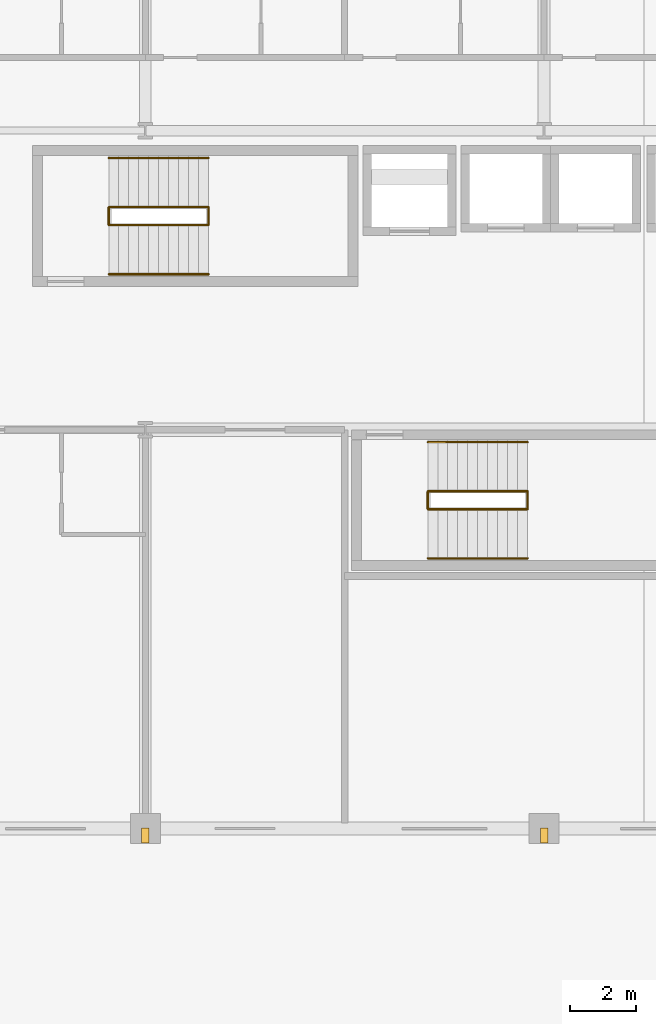
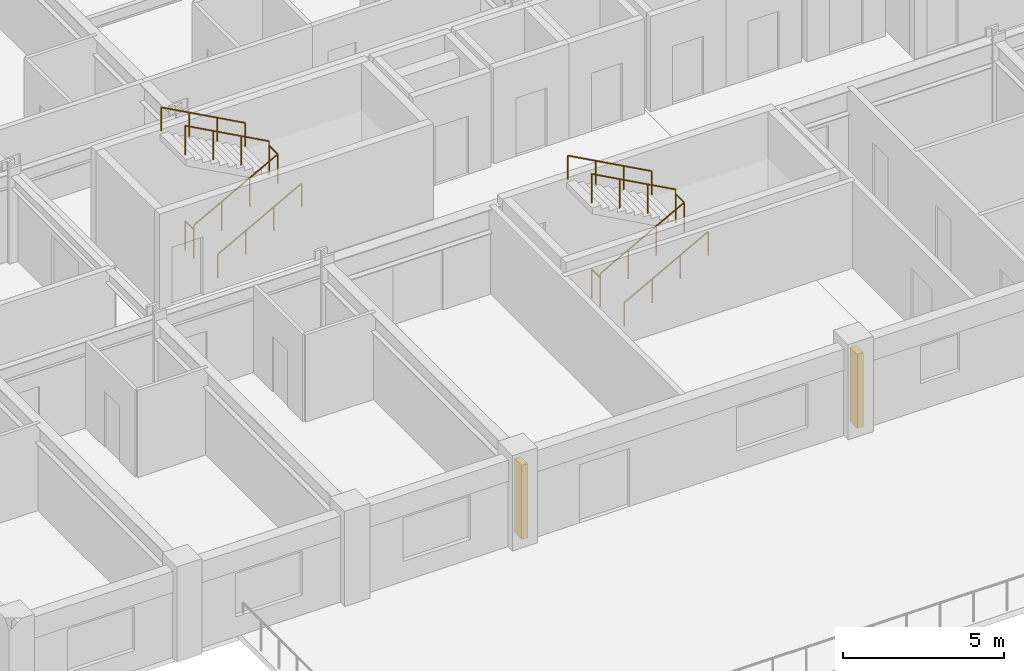
# One storey, part 22 of 24: 12 railings, 2 shading devices.
"""IFC4 building model written with IfcOpenShell, lengths in metres."""

from ifc_helpers import new_model, si_unit, direction, frame, origin, origin_2d, place, context, subcontext, project, spatial, rectangle, circle, extrude, material, type_object, element, save


model = new_model("IFC4")

# Units and contexts
model_context = context("Model", 3, precision=1e-05, world=origin(), true_north=direction((0.0, 1.0)))
body_context = subcontext(model_context, "Body", "Model", "MODEL_VIEW")
ifc_project = project(units=[si_unit("LENGTHUNIT", "METRE"), si_unit("AREAUNIT", "SQUARE_METRE"), si_unit("VOLUMEUNIT", "CUBIC_METRE"), si_unit("PLANEANGLEUNIT", "RADIAN"), si_unit("MASSUNIT", "GRAM", prefix="KILO")], contexts=[model_context])

# Site, building, storey
site_placement = place(None, origin())
site = spatial("IfcSite", under=ifc_project, at=site_placement, CompositionType="ELEMENT")
building_placement = place(site_placement, origin())
building = spatial("IfcBuilding", under=site, at=building_placement, Name="Kaldorvane Square Convention Centre", CompositionType="ELEMENT")
storey_placement = place(building_placement, frame((0.0, 0.0, 27.600006103515625)))
storey = spatial("IfcBuildingStorey", under=building, at=storey_placement, Name="L05", CompositionType="ELEMENT", Elevation=27.600006103515625)

# Railings
ifc_material_1 = material(Name="Architectural Painted Steel", Category="steel")
railing_type_1 = type_object("IfcRailingType", Name="RL-GUARD-1120", PredefinedType="BALUSTRADE", material=ifc_material_1)
for number, where, name in (
    (1, (40.899993896484375, 102.16999816894531, 0.0), "Tower Exit Stair T1 Floor Well Guard (L05)"),
    (2, (43.899993896484375, 102.16999816894531, 1.79998779296875), "Tower Exit Stair T1 Half-Landing Guard (L05)"),
):
    element("IfcRailing", number, at=place(storey_placement, frame(where)), inside=storey, type_object=railing_type_1, Name=name, PredefinedType="BALUSTRADE", context=body_context, shape_type="SweptSolid", body=[
        extrude(circle(Radius=0.0240020751953125, at=origin_2d()), frame((0.0, 0.0, 1.0959930419921875), z_axis=(0.0, 1.0, 0.0), x_axis=(-1.0, 0.0, 0.0)), (0.0, 0.0, 1.0), 0.5200042724609375),
        extrude(circle(Radius=0.02099609375, at=origin_2d()), origin(), (0.0, 0.0, 1.0), 1.071990966796875),
        extrude(circle(Radius=0.02099609375, at=origin_2d()), frame((0.0, 0.5200042724609375, 0.0)), (0.0, 0.0, 1.0), 1.071990966796875),
    ])
railing_1_placement = place(storey_placement, frame((40.899993896484375, 102.16000366210938, 0.16363525390625)))
element("IfcRailing", 3, at=railing_1_placement, inside=storey, type_object=railing_type_1, Name="Tower Exit Stair T1 Flight 1 Guard (L05)", PredefinedType="BALUSTRADE", context=body_context, shape_type="SweptSolid", body=[
    extrude(circle(Radius=0.0240020751953125, at=origin_2d()), frame((0.0, 0.0, 1.0959930419921875), z_axis=(0.877896938072, 0.0, 0.478849627883), x_axis=(0.0, 1.0, 0.0)), (0.0, 0.0, 1.0), 3.4172515869140625),
    extrude(circle(Radius=0.02099609375, at=origin_2d()), origin(), (0.0, 0.0, 1.0), 1.071990966796875),
    extrude(circle(Radius=0.02099609375, at=origin_2d()), frame((1.0, 0.0, 0.5454559326171875)), (0.0, 0.0, 1.0), 1.071990966796875),
    extrude(circle(Radius=0.02099609375, at=origin_2d()), frame((2.0, 0.0, 1.0908966064453125)), (0.0, 0.0, 1.0), 1.071990966796875),
    extrude(circle(Radius=0.02099609375, at=origin_2d()), frame((3.0, 0.0, 1.6363525390625)), (0.0, 0.0, 1.0), 1.071990966796875),
])
railing_2_placement = place(storey_placement, frame((43.899993896484375, 102.69999694824219, 1.963623046875)))
element("IfcRailing", 4, at=railing_2_placement, inside=storey, type_object=railing_type_1, Name="Tower Exit Stair T1 Flight 2 Guard (L05)", PredefinedType="BALUSTRADE", context=body_context, shape_type="SweptSolid", body=[
    extrude(circle(Radius=0.0240020751953125, at=origin_2d()), frame((0.0, 0.0, 1.0959930419921875), z_axis=(-0.87789506098, 0.0, 0.478853069227), x_axis=(0.0, -1.0, 0.0)), (0.0, 0.0, 1.0), 3.417266845703125),
    extrude(circle(Radius=0.02099609375, at=origin_2d()), origin(), (0.0, 0.0, 1.0), 1.071990966796875),
    extrude(circle(Radius=0.02099609375, at=origin_2d()), frame((-1.0, 0.0, 0.5454559326171875)), (0.0, 0.0, 1.0), 1.071990966796875),
    extrude(circle(Radius=0.02099609375, at=origin_2d()), frame((-2.0, 0.0, 1.090911865234375)), (0.0, 0.0, 1.0), 1.071990966796875),
    extrude(circle(Radius=0.02099609375, at=origin_2d()), frame((-3.0, 0.0, 1.6363677978515625)), (0.0, 0.0, 1.0), 1.071990966796875),
])
for number, where, name in (
    (5, (50.5, 93.6199951171875, 0.0), "Tower Exit Stair T3 Floor Well Guard (L05)"),
    (6, (53.5, 93.6199951171875, 1.79998779296875), "Tower Exit Stair T3 Half-Landing Guard (L05)"),
):
    element("IfcRailing", number, at=place(storey_placement, frame(where)), inside=storey, type_object=railing_type_1, Name=name, PredefinedType="BALUSTRADE", context=body_context, shape_type="SweptSolid", body=[
        extrude(circle(Radius=0.0240020751953125, at=origin_2d()), frame((0.0, 0.0, 1.0959930419921875), z_axis=(0.0, 1.0, 0.0), x_axis=(-1.0, 0.0, 0.0)), (0.0, 0.0, 1.0), 0.5200042724609375),
        extrude(circle(Radius=0.02099609375, at=origin_2d()), origin(), (0.0, 0.0, 1.0), 1.071990966796875),
        extrude(circle(Radius=0.02099609375, at=origin_2d()), frame((0.0, 0.5200042724609375, 0.0)), (0.0, 0.0, 1.0), 1.071990966796875),
    ])
railing_3_placement = place(storey_placement, frame((50.5, 93.61000061035156, 0.16363525390625)))
element("IfcRailing", 7, at=railing_3_placement, inside=storey, type_object=railing_type_1, Name="Tower Exit Stair T3 Flight 1 Guard (L05)", PredefinedType="BALUSTRADE", context=body_context, shape_type="SweptSolid", body=[
    extrude(circle(Radius=0.0240020751953125, at=origin_2d()), frame((0.0, 0.0, 1.0959930419921875), z_axis=(0.877896938072, 0.0, 0.478849627883), x_axis=(0.0, 1.0, 0.0)), (0.0, 0.0, 1.0), 3.4172515869140625),
    extrude(circle(Radius=0.02099609375, at=origin_2d()), origin(), (0.0, 0.0, 1.0), 1.071990966796875),
    extrude(circle(Radius=0.02099609375, at=origin_2d()), frame((1.0, 0.0, 0.5454559326171875)), (0.0, 0.0, 1.0), 1.071990966796875),
    extrude(circle(Radius=0.02099609375, at=origin_2d()), frame((2.0, 0.0, 1.0908966064453125)), (0.0, 0.0, 1.0), 1.071990966796875),
    extrude(circle(Radius=0.02099609375, at=origin_2d()), frame((3.0, 0.0, 1.6363525390625)), (0.0, 0.0, 1.0), 1.071990966796875),
])
railing_4_placement = place(storey_placement, frame((53.5, 94.14999389648438, 1.963623046875)))
element("IfcRailing", 8, at=railing_4_placement, inside=storey, type_object=railing_type_1, Name="Tower Exit Stair T3 Flight 2 Guard (L05)", PredefinedType="BALUSTRADE", context=body_context, shape_type="SweptSolid", body=[
    extrude(circle(Radius=0.0240020751953125, at=origin_2d()), frame((0.0, 0.0, 1.0959930419921875), z_axis=(-0.87789506098, 0.0, 0.478853069227), x_axis=(0.0, -1.0, 0.0)), (0.0, 0.0, 1.0), 3.417266845703125),
    extrude(circle(Radius=0.02099609375, at=origin_2d()), origin(), (0.0, 0.0, 1.0), 1.071990966796875),
    extrude(circle(Radius=0.02099609375, at=origin_2d()), frame((-1.0, 0.0, 0.5454559326171875)), (0.0, 0.0, 1.0), 1.071990966796875),
    extrude(circle(Radius=0.02099609375, at=origin_2d()), frame((-2.0, 0.0, 1.090911865234375)), (0.0, 0.0, 1.0), 1.071990966796875),
    extrude(circle(Radius=0.02099609375, at=origin_2d()), frame((-3.0, 0.0, 1.6363677978515625)), (0.0, 0.0, 1.0), 1.071990966796875),
])
railing_type_2 = type_object("IfcRailingType", Name="RL-HAND-915", PredefinedType="HANDRAIL", material=ifc_material_1)
railing_5_placement = place(storey_placement, frame((40.899993896484375, 100.67999267578125, 0.16363525390625)))
element("IfcRailing", 9, at=railing_5_placement, inside=storey, type_object=railing_type_2, Name="Tower Exit Stair T1 Wall Handrail 1 (L05)", PredefinedType="HANDRAIL", context=body_context, shape_type="SweptSolid", body=[
    extrude(circle(Radius=0.0240020751953125, at=origin_2d()), frame((0.0, 0.0, 0.8909912109375), z_axis=(0.877896938072, 0.0, 0.478849627883), x_axis=(0.0, 1.0, 0.0)), (0.0, 0.0, 1.0), 3.4172515869140625),
    extrude(circle(Radius=0.02099609375, at=origin_2d()), origin(), (0.0, 0.0, 1.0), 0.8669891357421875),
    extrude(circle(Radius=0.02099609375, at=origin_2d()), frame((1.0, 0.0, 0.5454559326171875)), (0.0, 0.0, 1.0), 0.8669891357421875),
    extrude(circle(Radius=0.02099609375, at=origin_2d()), frame((2.0, 0.0, 1.0908966064453125)), (0.0, 0.0, 1.0), 0.8669891357421875),
    extrude(circle(Radius=0.02099609375, at=origin_2d()), frame((3.0, 0.0, 1.6363525390625)), (0.0, 0.0, 1.0), 0.8669891357421875),
])
railing_6_placement = place(storey_placement, frame((43.899993896484375, 104.17999267578125, 1.963623046875)))
element("IfcRailing", 10, at=railing_6_placement, inside=storey, type_object=railing_type_2, Name="Tower Exit Stair T1 Wall Handrail 2 (L05)", PredefinedType="HANDRAIL", context=body_context, shape_type="SweptSolid", body=[
    extrude(circle(Radius=0.0240020751953125, at=origin_2d()), frame((0.0, 0.0, 0.8909912109375), z_axis=(-0.87789506098, 0.0, 0.478853069227), x_axis=(0.0, -1.0, 0.0)), (0.0, 0.0, 1.0), 3.417266845703125),
    extrude(circle(Radius=0.02099609375, at=origin_2d()), origin(), (0.0, 0.0, 1.0), 0.8669891357421875),
    extrude(circle(Radius=0.02099609375, at=origin_2d()), frame((-1.0, 0.0, 0.5454559326171875)), (0.0, 0.0, 1.0), 0.8669891357421875),
    extrude(circle(Radius=0.02099609375, at=origin_2d()), frame((-2.0, 0.0, 1.090911865234375)), (0.0, 0.0, 1.0), 0.8669891357421875),
    extrude(circle(Radius=0.02099609375, at=origin_2d()), frame((-3.0, 0.0, 1.6363677978515625)), (0.0, 0.0, 1.0), 0.8669891357421875),
])
railing_7_placement = place(storey_placement, frame((50.5, 92.1300048828125, 0.16363525390625)))
element("IfcRailing", 11, at=railing_7_placement, inside=storey, type_object=railing_type_2, Name="Tower Exit Stair T3 Wall Handrail 1 (L05)", PredefinedType="HANDRAIL", context=body_context, shape_type="SweptSolid", body=[
    extrude(circle(Radius=0.0240020751953125, at=origin_2d()), frame((0.0, 0.0, 0.8909912109375), z_axis=(0.877896938072, 0.0, 0.478849627883), x_axis=(0.0, 1.0, 0.0)), (0.0, 0.0, 1.0), 3.4172515869140625),
    extrude(circle(Radius=0.02099609375, at=origin_2d()), origin(), (0.0, 0.0, 1.0), 0.8669891357421875),
    extrude(circle(Radius=0.02099609375, at=origin_2d()), frame((1.0, 0.0, 0.5454559326171875)), (0.0, 0.0, 1.0), 0.8669891357421875),
    extrude(circle(Radius=0.02099609375, at=origin_2d()), frame((2.0, 0.0, 1.0908966064453125)), (0.0, 0.0, 1.0), 0.8669891357421875),
    extrude(circle(Radius=0.02099609375, at=origin_2d()), frame((3.0, 0.0, 1.6363525390625)), (0.0, 0.0, 1.0), 0.8669891357421875),
])
railing_8_placement = place(storey_placement, frame((53.5, 95.6300048828125, 1.963623046875)))
element("IfcRailing", 12, at=railing_8_placement, inside=storey, type_object=railing_type_2, Name="Tower Exit Stair T3 Wall Handrail 2 (L05)", PredefinedType="HANDRAIL", context=body_context, shape_type="SweptSolid", body=[
    extrude(circle(Radius=0.0240020751953125, at=origin_2d()), frame((0.0, 0.0, 0.8909912109375), z_axis=(-0.87789506098, 0.0, 0.478853069227), x_axis=(0.0, -1.0, 0.0)), (0.0, 0.0, 1.0), 3.417266845703125),
    extrude(circle(Radius=0.02099609375, at=origin_2d()), origin(), (0.0, 0.0, 1.0), 0.8669891357421875),
    extrude(circle(Radius=0.02099609375, at=origin_2d()), frame((-1.0, 0.0, 0.5454559326171875)), (0.0, 0.0, 1.0), 0.8669891357421875),
    extrude(circle(Radius=0.02099609375, at=origin_2d()), frame((-2.0, 0.0, 1.090911865234375)), (0.0, 0.0, 1.0), 0.8669891357421875),
    extrude(circle(Radius=0.02099609375, at=origin_2d()), frame((-3.0, 0.0, 1.6363677978515625)), (0.0, 0.0, 1.0), 0.8669891357421875),
])

# Shading devices
ifc_material_2 = material(Name="Concrete f'c = 42 MPa (Normalweight) Precast", Category="concrete")
shading_device_type = type_object("IfcShadingDeviceType", Name="SD-FIN-450", PredefinedType="USERDEFINED", material=ifc_material_2)
for number, where, z_axis, x_axis, name in (
    (13, (42.0, 83.79499816894531, 0.29998779296875), (0.0, 0.0, 1.0), (1.0, 0.0, 0.0), "Brutalist Precast Solar Fin (L05)"),
    (14, (54.0, 83.79499816894531, 0.29998779296875), (0.0, 0.0, 1.0), (1.0, 0.0, 0.0), "Brutalist Precast Solar Fin (L05)"),
):
    element("IfcShadingDevice", number, at=place(storey_placement, frame(where, z_axis=z_axis, x_axis=x_axis)), inside=storey, type_object=shading_device_type, Name=name, ObjectType="LOUVRE", PredefinedType="USERDEFINED", context=body_context, shape_type="SweptSolid", body=[
        extrude(rectangle(XDim=0.220001220703125, YDim=0.4499969482421875, at=origin_2d()), origin(), (0.0, 0.0, 1.0), 2.8000030517578125),
    ])

save(model, "model.ifc")
